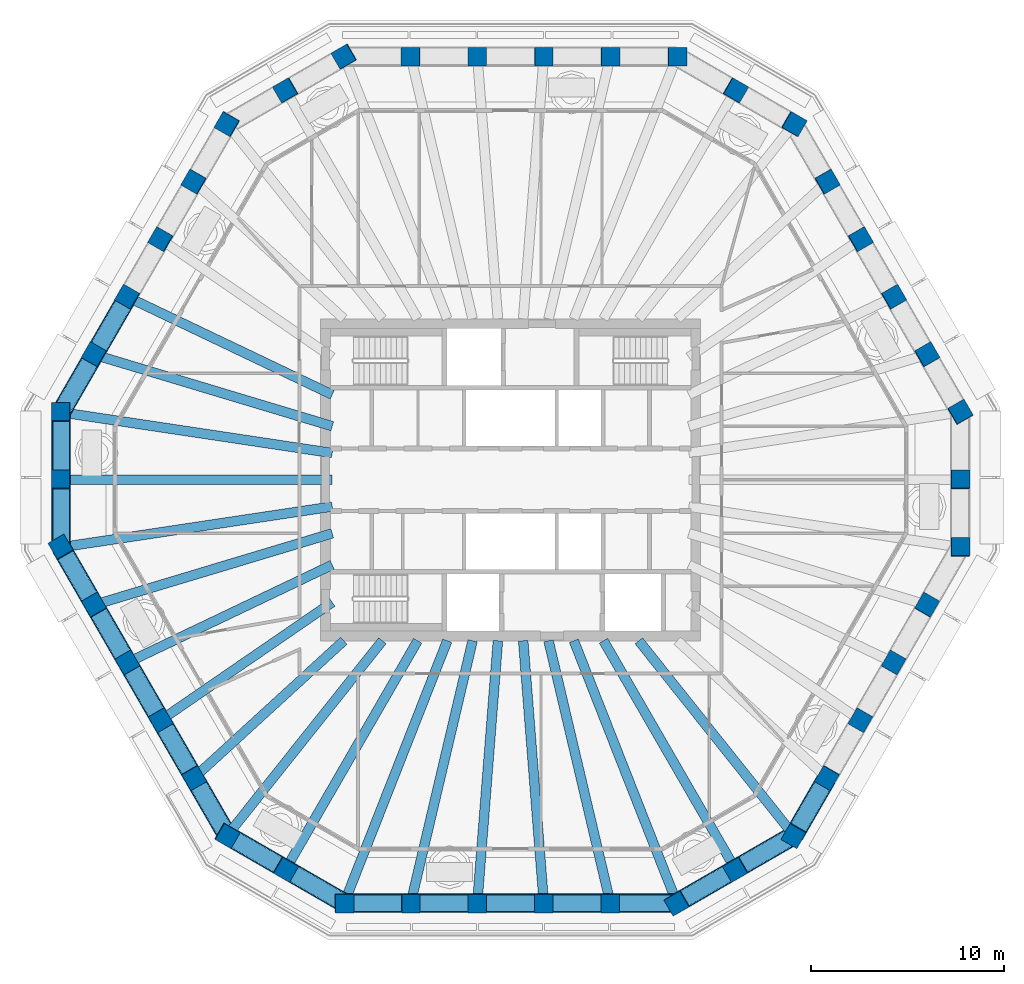
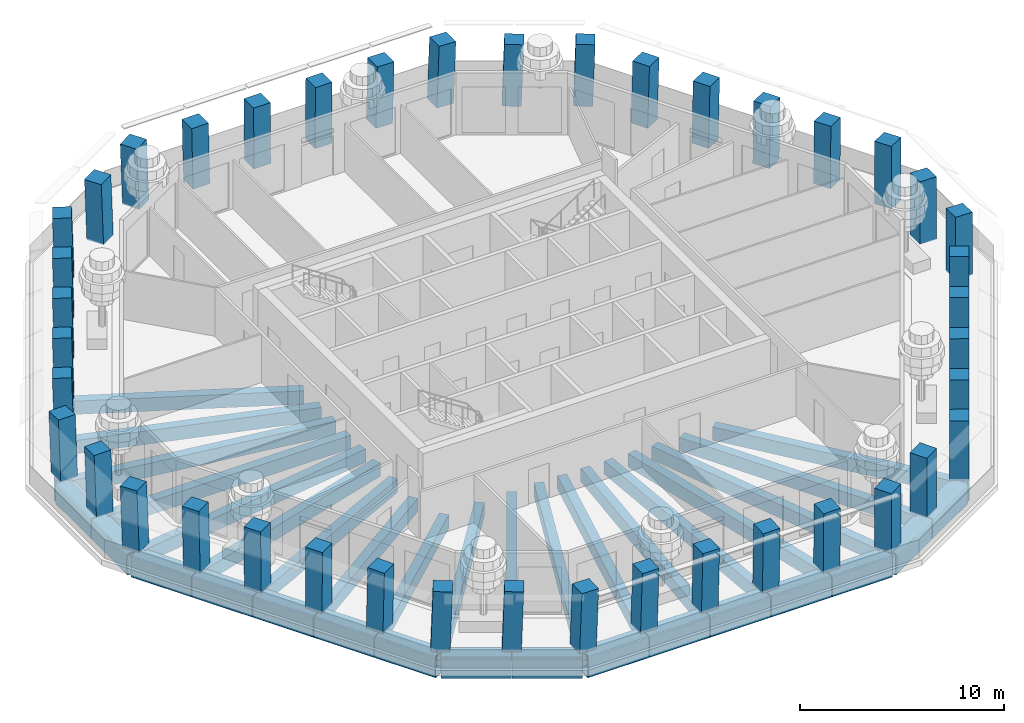
# One storey, part 1 of 13: 42 columns, 38 beams.
"""IFC4 building model written with IfcOpenShell, lengths in metres."""

from ifc_helpers import new_model, si_unit, direction, frame, origin, origin_2d, place, context, subcontext, project, spatial, rectangle, hollow_rectangle, extrude, material, material_profile, profile_set, type_object, element, save


model = new_model("IFC4")

# Units and contexts
model_context = context("Model", 3, precision=1e-05, world=origin(), true_north=direction((0.0, 1.0)))
body_context = subcontext(model_context, "Body", "Model", "MODEL_VIEW")
ifc_project = project(units=[si_unit("LENGTHUNIT", "METRE"), si_unit("AREAUNIT", "SQUARE_METRE"), si_unit("VOLUMEUNIT", "CUBIC_METRE"), si_unit("PLANEANGLEUNIT", "RADIAN"), si_unit("MASSUNIT", "GRAM", prefix="KILO")], contexts=[model_context])

# Site, building, storey
site_placement = place(None, origin())
site = spatial("IfcSite", under=ifc_project, at=site_placement, CompositionType="ELEMENT")
building_placement = place(site_placement, origin())
building = spatial("IfcBuilding", under=site, at=building_placement, Name="Frailejon Research Tower", CompositionType="ELEMENT")
storey_placement = place(building_placement, frame((0.0, 0.0, 263.0)))
storey = spatial("IfcBuildingStorey", under=building, at=storey_placement, Name="L57", CompositionType="ELEMENT", Elevation=263.0)

# Columns
ifc_material_1 = material(Name="Concrete C50/60", Category="concrete")
ifc_material_profile_1 = material_profile(ifc_material_1, rectangle(XDim=0.949951171875, YDim=0.949951171875, at=origin_2d()), Name="Column 950")
ifc_profile_set_1 = profile_set([ifc_material_profile_1], Name="Concrete C50/60")
column_type = type_object("IfcColumnType", Name="Column 950", PredefinedType="COLUMN", material=ifc_profile_set_1)
for number, where, z_axis, x_axis, name in (
    (1, (23.32373046875, -3.501953125, 0.0), (0.018115165867, 0.031417446337, 0.999342176049), (-0.001297375745, 0.999506085267, -0.031399081689), "Column C01"),
    (2, (23.32373046875, 0.0, 0.0), (0.018115165867, 0.031417446337, 0.999342176049), (-0.001297375745, 0.999506085267, -0.031399081689), "Column C02"),
    (3, (23.32373046875, 3.501953125, 0.0), (0.018115165867, 0.031417446337, 0.999342176049), (-0.501041092948, 0.865233799715, -0.018118913022), "Column C03"),
):
    element("IfcColumn", number, at=place(storey_placement, frame(where, z_axis=z_axis, x_axis=x_axis)), inside=storey, type_object=column_type, Name=name, PredefinedType="COLUMN", context=body_context, shape_type="SweptSolid", body=[
        extrude(rectangle(XDim=0.949951171875, YDim=0.949951171875, at=origin_2d()), origin(), (0.0, 0.0, 1.0), 3.65234375),
    ])
column_1_placement = place(storey_placement, frame((21.597900390625, 6.4912109375, 0.0), z_axis=(0.021793949015, 0.025136579231, 0.999446434868), x_axis=(-0.500091550798, 0.865904279016, -0.010872920625)))
element("IfcColumn", 4, at=column_1_placement, inside=storey, type_object=column_type, Name="Column C04", PredefinedType="COLUMN", context=body_context, shape_type="SweptSolid", body=[
    extrude(rectangle(XDim=0.949951171875, YDim=0.949951171875, at=origin_2d()), origin(), (0.0, 0.0, 1.0), 3.65185546875),
])
for number, where, z_axis, x_axis, name in (
    (5, (19.872314453125, 9.48046875, 0.0), (0.025338523594, 0.018853466104, 0.999501128583), (-0.501175757197, 0.865337954228, -0.003617370643), "Column C05"),
    (6, (18.146240234375, 12.469482421875, 0.0), (0.029015583354, 0.012568962375, 0.99949993352), (-0.500120886693, 0.865947994233, 0.003629046282), "Column C06"),
):
    element("IfcColumn", number, at=place(storey_placement, frame(where, z_axis=z_axis, x_axis=x_axis)), inside=storey, type_object=column_type, Name=name, PredefinedType="COLUMN", context=body_context, shape_type="SweptSolid", body=[
        extrude(rectangle(XDim=0.949951171875, YDim=0.949951171875, at=origin_2d()), origin(), (0.0, 0.0, 1.0), 3.651611328125),
    ])
column_2_placement = place(storey_placement, frame((16.42041015625, 15.458740234375, 0.0), z_axis=(0.032690901241, 0.006284140525, 0.999445753682), x_axis=(-0.49918988376, 0.866424307009, 0.010880265438)))
element("IfcColumn", 7, at=column_2_placement, inside=storey, type_object=column_type, Name="Column C07", PredefinedType="COLUMN", context=body_context, shape_type="SweptSolid", body=[
    extrude(rectangle(XDim=0.949951171875, YDim=0.949951171875, at=origin_2d()), origin(), (0.0, 0.0, 1.0), 3.65185546875),
])
for number, where, z_axis, x_axis, name in (
    (8, (14.694580078125, 18.447998046875, 0.0), (0.036297136169, 0.0, 0.99934104184), (-0.865312543657, 0.500246354177, 0.031429077673), "Column C08"),
    (9, (11.661865234375, 20.198974609375, 0.0), (0.036297136169, 0.0, 0.99934104184), (-0.865312543657, 0.500246354177, 0.031429077673), "Column C09"),
    (10, (8.629150390625, 21.949951171875, 0.0), (0.036297136169, 0.0, 0.99934104184), (-0.99934104184, 0.0, 0.036297136169), "Column C10"),
):
    element("IfcColumn", number, at=place(storey_placement, frame(where, z_axis=z_axis, x_axis=x_axis)), inside=storey, type_object=column_type, Name=name, PredefinedType="COLUMN", context=body_context, shape_type="SweptSolid", body=[
        extrude(rectangle(XDim=0.949951171875, YDim=0.949951171875, at=origin_2d()), origin(), (0.0, 0.0, 1.0), 3.65234375),
    ])
column_3_placement = place(storey_placement, frame((5.177490234375, 21.949951171875, 0.0), z_axis=(0.021800837506, 0.0, 0.999762333499), x_axis=(-0.999762333499, 0.0, 0.021800837506)))
element("IfcColumn", 11, at=column_3_placement, inside=storey, type_object=column_type, Name="Column C11", PredefinedType="COLUMN", context=body_context, shape_type="SweptSolid", body=[
    extrude(rectangle(XDim=0.949951171875, YDim=0.949951171875, at=origin_2d()), origin(), (0.0, 0.0, 1.0), 3.65087890625),
])
for number, where, z_axis, x_axis, name in (
    (12, (1.725830078125, 21.949951171875, 0.0), (0.00729077612, 0.0, 0.999973421939), (-0.999973421939, 0.0, 0.00729077612), "Column C12"),
    (13, (-1.725830078125, 21.949951171875, 0.0), (-0.00729077612, 0.0, 0.999973421939), (-0.999973421939, 0.0, -0.00729077612), "Column C13"),
):
    element("IfcColumn", number, at=place(storey_placement, frame(where, z_axis=z_axis, x_axis=x_axis)), inside=storey, type_object=column_type, Name=name, PredefinedType="COLUMN", context=body_context, shape_type="SweptSolid", body=[
        extrude(rectangle(XDim=0.949951171875, YDim=0.949951171875, at=origin_2d()), origin(), (0.0, 0.0, 1.0), 3.64990234375),
    ])
column_4_placement = place(storey_placement, frame((-5.177490234375, 21.949951171875, 0.0), z_axis=(-0.021800837506, 0.0, 0.999762333499), x_axis=(-0.999762333499, 0.0, -0.021800837506)))
element("IfcColumn", 14, at=column_4_placement, inside=storey, type_object=column_type, Name="Column C14", PredefinedType="COLUMN", context=body_context, shape_type="SweptSolid", body=[
    extrude(rectangle(XDim=0.949951171875, YDim=0.949951171875, at=origin_2d()), origin(), (0.0, 0.0, 1.0), 3.65087890625),
])
for number, where, z_axis, x_axis, name in (
    (15, (-8.629150390625, 21.949951171875, 0.0), (-0.036297136169, 0.0, 0.99934104184), (-0.865312543657, -0.500246354177, -0.031429077673), "Column C15"),
    (16, (-11.661865234375, 20.198974609375, 0.0), (-0.036297136169, 0.0, 0.99934104184), (-0.865312543657, -0.500246354177, -0.031429077673), "Column C16"),
    (17, (-14.694580078125, 18.447998046875, 0.0), (-0.036297136169, 0.0, 0.99934104184), (-0.49942428864, -0.866167613071, -0.018139624664), "Column C17"),
):
    element("IfcColumn", number, at=place(storey_placement, frame(where, z_axis=z_axis, x_axis=x_axis)), inside=storey, type_object=column_type, Name=name, PredefinedType="COLUMN", context=body_context, shape_type="SweptSolid", body=[
        extrude(rectangle(XDim=0.949951171875, YDim=0.949951171875, at=origin_2d()), origin(), (0.0, 0.0, 1.0), 3.65234375),
    ])
column_5_placement = place(storey_placement, frame((-16.42041015625, 15.458740234375, 0.0), z_axis=(-0.032690901241, 0.006284140525, 0.999445753682), x_axis=(-0.49918988376, -0.866424307009, -0.010880265438)))
element("IfcColumn", 18, at=column_5_placement, inside=storey, type_object=column_type, Name="Column C18", PredefinedType="COLUMN", context=body_context, shape_type="SweptSolid", body=[
    extrude(rectangle(XDim=0.949951171875, YDim=0.949951171875, at=origin_2d()), origin(), (0.0, 0.0, 1.0), 3.65185546875),
])
for number, where, z_axis, x_axis, name in (
    (19, (-18.146240234375, 12.469482421875, 0.0), (-0.029015583354, 0.012568962375, 0.99949993352), (-0.500120886693, -0.865947994233, -0.003629046282), "Column C19"),
    (20, (-19.872314453125, 9.48046875, 0.0), (-0.025338523594, 0.018853466104, 0.999501128583), (-0.501175757197, -0.865337954228, 0.003617370643), "Column C20"),
):
    element("IfcColumn", number, at=place(storey_placement, frame(where, z_axis=z_axis, x_axis=x_axis)), inside=storey, type_object=column_type, Name=name, PredefinedType="COLUMN", context=body_context, shape_type="SweptSolid", body=[
        extrude(rectangle(XDim=0.949951171875, YDim=0.949951171875, at=origin_2d()), origin(), (0.0, 0.0, 1.0), 3.651611328125),
    ])
column_6_placement = place(storey_placement, frame((-21.597900390625, 6.4912109375, 0.0), z_axis=(-0.021793949015, 0.025136579231, 0.999446434868), x_axis=(-0.500091550798, -0.865904279016, 0.010872920625)))
element("IfcColumn", 21, at=column_6_placement, inside=storey, type_object=column_type, Name="Column C21", PredefinedType="COLUMN", context=body_context, shape_type="SweptSolid", body=[
    extrude(rectangle(XDim=0.949951171875, YDim=0.949951171875, at=origin_2d()), origin(), (0.0, 0.0, 1.0), 3.65185546875),
])
for number, where, z_axis, x_axis, name in (
    (22, (-23.32373046875, 3.501953125, 0.0), (-0.018115165867, 0.031417446337, 0.999342176049), (-0.001297375745, -0.999506085267, 0.031399081689), "Column C22"),
    (23, (-23.32373046875, 0.0, 0.0), (-0.018115165867, 0.031417446337, 0.999342176049), (-0.001297375745, -0.999506085267, 0.031399081689), "Column C23"),
    (24, (-23.32373046875, -3.501953125, 0.0), (-0.018115165867, 0.031417446337, 0.999342176049), (0.499040470376, -0.865819492615, 0.036265894916), "Column C24"),
):
    element("IfcColumn", number, at=place(storey_placement, frame(where, z_axis=z_axis, x_axis=x_axis)), inside=storey, type_object=column_type, Name=name, PredefinedType="COLUMN", context=body_context, shape_type="SweptSolid", body=[
        extrude(rectangle(XDim=0.949951171875, YDim=0.949951171875, at=origin_2d()), origin(), (0.0, 0.0, 1.0), 3.65234375),
    ])
column_7_placement = place(storey_placement, frame((-21.597900390625, -6.4912109375, 0.0), z_axis=(-0.010900423214, 0.018858400897, 0.999762742599), x_axis=(0.500590318805, -0.865410234662, 0.021782067434)))
element("IfcColumn", 25, at=column_7_placement, inside=storey, type_object=column_type, Name="Column C25", PredefinedType="COLUMN", context=body_context, shape_type="SweptSolid", body=[
    extrude(rectangle(XDim=0.949951171875, YDim=0.949951171875, at=origin_2d()), origin(), (0.0, 0.0, 1.0), 3.65087890625),
])
for number, where, z_axis, x_axis, name in (
    (26, (-19.872314453125, -9.48046875, 0.0), (-0.003611945175, 0.00628746012, 0.999973710503), (0.497890394796, -0.867209649664, 0.007251089524), "Column C26"),
    (27, (-18.146240234375, -12.469482421875, 0.0), (0.003611945175, -0.00628746012, 0.999973710503), (0.497890394796, -0.867209649664, -0.007251089524), "Column C27"),
):
    element("IfcColumn", number, at=place(storey_placement, frame(where, z_axis=z_axis, x_axis=x_axis)), inside=storey, type_object=column_type, Name=name, PredefinedType="COLUMN", context=body_context, shape_type="SweptSolid", body=[
        extrude(rectangle(XDim=0.949951171875, YDim=0.949951171875, at=origin_2d()), origin(), (0.0, 0.0, 1.0), 3.64990234375),
    ])
column_8_placement = place(storey_placement, frame((-16.42041015625, -15.458740234375, 0.0), z_axis=(0.010833557325, -0.018858414602, 0.999763469144), x_axis=(0.498285075857, -0.866740432575, -0.0217486946)))
element("IfcColumn", 28, at=column_8_placement, inside=storey, type_object=column_type, Name="Column C28", PredefinedType="COLUMN", context=body_context, shape_type="SweptSolid", body=[
    extrude(rectangle(XDim=0.949951171875, YDim=0.949951171875, at=origin_2d()), origin(), (0.0, 0.0, 1.0), 3.65087890625),
])
for number, where, z_axis, x_axis, name in (
    (29, (-14.694580078125, -18.447998046875, 0.0), (0.018115165867, -0.031417446337, 0.999342176049), (0.865519692755, -0.499889378995, -0.031404939456), "Column C29"),
    (30, (-11.661865234375, -20.198974609375, 0.0), (0.018115165867, -0.031417446337, 0.999342176049), (0.865519692755, -0.499889378995, -0.031404939456), "Column C30"),
    (31, (-8.629150390625, -21.949951171875, 0.0), (0.018115165867, -0.031417446337, 0.999342176049), (0.999835642796, -0.000157281862, -0.01812905563), "Column C31"),
):
    element("IfcColumn", number, at=place(storey_placement, frame(where, z_axis=z_axis, x_axis=x_axis)), inside=storey, type_object=column_type, Name=name, PredefinedType="COLUMN", context=body_context, shape_type="SweptSolid", body=[
        extrude(rectangle(XDim=0.949951171875, YDim=0.949951171875, at=origin_2d()), origin(), (0.0, 0.0, 1.0), 3.65234375),
    ])
column_9_placement = place(storey_placement, frame((-5.177490234375, -21.949951171875, 0.0), z_axis=(0.010896978963, -0.031420736888, 0.99944684358), x_axis=(0.999940625187, 0.000298260455, -0.010892985919)))
element("IfcColumn", 32, at=column_9_placement, inside=storey, type_object=column_type, Name="Column C32", PredefinedType="COLUMN", context=body_context, shape_type="SweptSolid", body=[
    extrude(rectangle(XDim=0.949951171875, YDim=0.949951171875, at=origin_2d()), origin(), (0.0, 0.0, 1.0), 3.65185546875),
])
for number, where, z_axis, x_axis, name in (
    (33, (-1.725830078125, -21.949951171875, 0.0), (0.003610232938, -0.031422397791, 0.999499674405), (0.999993379572, -0.000341341874, -0.00362274737), "Column C33"),
    (34, (1.725830078125, -21.949951171875, 0.0), (-0.003610232938, -0.031422397791, 0.999499674405), (0.999993379572, 0.000341341874, 0.00362274737), "Column C34"),
):
    element("IfcColumn", number, at=place(storey_placement, frame(where, z_axis=z_axis, x_axis=x_axis)), inside=storey, type_object=column_type, Name=name, PredefinedType="COLUMN", context=body_context, shape_type="SweptSolid", body=[
        extrude(rectangle(XDim=0.949951171875, YDim=0.949951171875, at=origin_2d()), origin(), (0.0, 0.0, 1.0), 3.651611328125),
    ])
column_10_placement = place(storey_placement, frame((5.177490234375, -21.949951171875, 0.0), z_axis=(-0.010896978963, -0.031420736888, 0.99944684358), x_axis=(0.999940625187, -0.000298260455, 0.010892985919)))
element("IfcColumn", 35, at=column_10_placement, inside=storey, type_object=column_type, Name="Column C35", PredefinedType="COLUMN", context=body_context, shape_type="SweptSolid", body=[
    extrude(rectangle(XDim=0.949951171875, YDim=0.949951171875, at=origin_2d()), origin(), (0.0, 0.0, 1.0), 3.65185546875),
])
for number, where, z_axis, x_axis, name in (
    (36, (8.629150390625, -21.949951171875, 0.0), (-0.018115165867, -0.031417446337, 0.999342176049), (0.865519692755, 0.499889378995, 0.031404939456), "Column C36"),
    (37, (11.661865234375, -20.198974609375, 0.0), (-0.018115165867, -0.031417446337, 0.999342176049), (0.865519692755, 0.499889378995, 0.031404939456), "Column C37"),
    (38, (14.694580078125, -18.447998046875, 0.0), (-0.018115165867, -0.031417446337, 0.999342176049), (0.499040470376, 0.865819492615, 0.036265894916), "Column C38"),
):
    element("IfcColumn", number, at=place(storey_placement, frame(where, z_axis=z_axis, x_axis=x_axis)), inside=storey, type_object=column_type, Name=name, PredefinedType="COLUMN", context=body_context, shape_type="SweptSolid", body=[
        extrude(rectangle(XDim=0.949951171875, YDim=0.949951171875, at=origin_2d()), origin(), (0.0, 0.0, 1.0), 3.65234375),
    ])
column_11_placement = place(storey_placement, frame((16.42041015625, -15.458740234375, 0.0), z_axis=(-0.010833557325, -0.018858414602, 0.999763469144), x_axis=(0.498285075857, 0.866740432575, 0.0217486946)))
element("IfcColumn", 39, at=column_11_placement, inside=storey, type_object=column_type, Name="Column C39", PredefinedType="COLUMN", context=body_context, shape_type="SweptSolid", body=[
    extrude(rectangle(XDim=0.949951171875, YDim=0.949951171875, at=origin_2d()), origin(), (0.0, 0.0, 1.0), 3.65087890625),
])
for number, where, z_axis, x_axis, name in (
    (40, (18.146240234375, -12.469482421875, 0.0), (-0.003611945175, -0.00628746012, 0.999973710503), (0.497890394796, 0.867209649664, 0.007251089524), "Column C40"),
    (41, (19.872314453125, -9.48046875, 0.0), (0.003611945175, 0.00628746012, 0.999973710503), (0.497890394796, 0.867209649664, -0.007251089524), "Column C41"),
):
    element("IfcColumn", number, at=place(storey_placement, frame(where, z_axis=z_axis, x_axis=x_axis)), inside=storey, type_object=column_type, Name=name, PredefinedType="COLUMN", context=body_context, shape_type="SweptSolid", body=[
        extrude(rectangle(XDim=0.949951171875, YDim=0.949951171875, at=origin_2d()), origin(), (0.0, 0.0, 1.0), 3.64990234375),
    ])
column_12_placement = place(storey_placement, frame((21.597900390625, -6.4912109375, 0.0), z_axis=(0.010900423214, 0.018858400897, 0.999762742599), x_axis=(0.500590318805, 0.865410234662, -0.021782067434)))
element("IfcColumn", 42, at=column_12_placement, inside=storey, type_object=column_type, Name="Column C42", PredefinedType="COLUMN", context=body_context, shape_type="SweptSolid", body=[
    extrude(rectangle(XDim=0.949951171875, YDim=0.949951171875, at=origin_2d()), origin(), (0.0, 0.0, 1.0), 3.65087890625),
])

# Beams
ifc_material_2 = material(Name="Steel S355", Category="steel")
ifc_material_profile_2 = material_profile(ifc_material_2, hollow_rectangle(XDim=1.0, YDim=1.300048828125, WallThickness=0.06005859375, InnerFilletRadius=0.06005859375, OuterFilletRadius=0.1201171875, at=origin_2d()), Name="Belt chord")
ifc_profile_set_2 = profile_set([ifc_material_profile_2], Name="Steel S355")
beam_type_1 = type_object("IfcBeamType", Name="Belt chord", PredefinedType="BEAM", material=ifc_profile_set_2)
for number, where, z_axis, x_axis, name in (
    (43, (-19.882080078125, 9.463134765625, -1.0), (-0.499995010897, -0.866028284225, 0.0), (0.866028284225, -0.499995010897, 0.0), "Belt chord"),
    (44, (-21.60791015625, 6.473876953125, -1.0), (-0.499995010897, -0.866028284225, 0.0), (0.866028284225, -0.499995010897, 0.0), "Belt chord"),
):
    element("IfcBeam", number, at=place(storey_placement, frame(where, z_axis=z_axis, x_axis=x_axis)), inside=storey, type_object=beam_type_1, Name=name, PredefinedType="BEAM", context=body_context, shape_type="SweptSolid", body=[
        extrude(hollow_rectangle(XDim=1.0, YDim=1.300048828125, WallThickness=0.06005859375, InnerFilletRadius=0.06005859375, OuterFilletRadius=0.1201171875, at=origin_2d()), origin(), (0.0, 0.0, 1.0), 3.41162109375),
    ])
for number, where, z_axis, x_axis, name in (
    (45, (-23.32373046875, 3.48193359375, -1.0), (0.0, -1.0, 0.0), (1.0, 0.0, 0.0), "Belt chord"),
    (46, (-23.32373046875, -0.02001953125, -1.0), (0.0, -1.0, 0.0), (1.0, 0.0, 0.0), "Belt chord"),
):
    element("IfcBeam", number, at=place(storey_placement, frame(where, z_axis=z_axis, x_axis=x_axis)), inside=storey, type_object=beam_type_1, Name=name, PredefinedType="BEAM", context=body_context, shape_type="SweptSolid", body=[
        extrude(hollow_rectangle(XDim=1.0, YDim=1.300048828125, WallThickness=0.06005859375, InnerFilletRadius=0.06005859375, OuterFilletRadius=0.1201171875, at=origin_2d()), origin(), (0.0, 0.0, 1.0), 3.4619140625),
    ])
for number, where, z_axis, x_axis, name in (
    (47, (-23.313720703125, -3.519287109375, -1.0), (0.499995010897, -0.866028284225, 0.0), (0.866028284225, 0.499995010897, 0.0), "Belt chord"),
    (48, (-21.587890625, -6.508544921875, -1.0), (0.499995010897, -0.866028284225, 0.0), (0.866028284225, 0.499995010897, 0.0), "Belt chord"),
):
    element("IfcBeam", number, at=place(storey_placement, frame(where, z_axis=z_axis, x_axis=x_axis)), inside=storey, type_object=beam_type_1, Name=name, PredefinedType="BEAM", context=body_context, shape_type="SweptSolid", body=[
        extrude(hollow_rectangle(XDim=1.0, YDim=1.300048828125, WallThickness=0.06005859375, InnerFilletRadius=0.06005859375, OuterFilletRadius=0.1201171875, at=origin_2d()), origin(), (0.0, 0.0, 1.0), 3.41162109375),
    ])
beam_1_placement = place(storey_placement, frame((-19.8623046875, -9.497802734375, -1.0), z_axis=(0.500048678942, -0.86599729716, 0.0), x_axis=(0.86599729716, 0.500048678942, 0.0)))
element("IfcBeam", 49, at=beam_1_placement, inside=storey, type_object=beam_type_1, Name="Belt chord", PredefinedType="BEAM", context=body_context, shape_type="SweptSolid", body=[
    extrude(hollow_rectangle(XDim=1.0, YDim=1.300048828125, WallThickness=0.06005859375, InnerFilletRadius=0.06005859375, OuterFilletRadius=0.1201171875, at=origin_2d()), origin(), (0.0, 0.0, 1.0), 3.411865234375),
])
for number, where, z_axis, x_axis, name in (
    (50, (-18.13623046875, -12.48681640625, -1.0), (0.499995010897, -0.866028284225, 0.0), (0.866028284225, 0.499995010897, 0.0), "Belt chord"),
    (51, (-16.410400390625, -15.47607421875, -1.0), (0.499995010897, -0.866028284225, 0.0), (0.866028284225, 0.499995010897, 0.0), "Belt chord"),
):
    element("IfcBeam", number, at=place(storey_placement, frame(where, z_axis=z_axis, x_axis=x_axis)), inside=storey, type_object=beam_type_1, Name=name, PredefinedType="BEAM", context=body_context, shape_type="SweptSolid", body=[
        extrude(hollow_rectangle(XDim=1.0, YDim=1.300048828125, WallThickness=0.06005859375, InnerFilletRadius=0.06005859375, OuterFilletRadius=0.1201171875, at=origin_2d()), origin(), (0.0, 0.0, 1.0), 3.41162109375),
    ])
beam_2_placement = place(storey_placement, frame((-14.677490234375, -18.4580078125, -1.0), z_axis=(0.866038798027, -0.499976799773, 0.0), x_axis=(0.499976799773, 0.866038798027, 0.0)))
element("IfcBeam", 52, at=beam_2_placement, inside=storey, type_object=beam_type_1, Name="Belt chord", PredefinedType="BEAM", context=body_context, shape_type="SweptSolid", body=[
    extrude(hollow_rectangle(XDim=1.0, YDim=1.300048828125, WallThickness=0.06005859375, InnerFilletRadius=0.06005859375, OuterFilletRadius=0.1201171875, at=origin_2d()), origin(), (0.0, 0.0, 1.0), 3.462158203125),
])
beam_3_placement = place(storey_placement, frame((-11.64453125, -20.208984375, -1.0), z_axis=(0.866021168401, -0.500007335828, 0.0), x_axis=(0.500007335828, 0.866021168401, 0.0)))
element("IfcBeam", 53, at=beam_3_placement, inside=storey, type_object=beam_type_1, Name="Belt chord", PredefinedType="BEAM", context=body_context, shape_type="SweptSolid", body=[
    extrude(hollow_rectangle(XDim=1.0, YDim=1.300048828125, WallThickness=0.06005859375, InnerFilletRadius=0.06005859375, OuterFilletRadius=0.1201171875, at=origin_2d()), origin(), (0.0, 0.0, 1.0), 3.4619140625),
])
for number, where, z_axis, x_axis, name in (
    (54, (-8.609130859375, -21.949951171875, -1.0), (1.0, 0.0, 0.0), (0.0, 1.0, 0.0), "Belt chord"),
    (55, (-5.157470703125, -21.949951171875, -1.0), (1.0, 0.0, 0.0), (0.0, 1.0, 0.0), "Belt chord"),
    (56, (-1.705810546875, -21.949951171875, -1.0), (1.0, 0.0, 0.0), (0.0, 1.0, 0.0), "Belt chord"),
    (57, (1.745849609375, -21.949951171875, -1.0), (1.0, 0.0, 0.0), (0.0, 1.0, 0.0), "Belt chord"),
    (58, (5.197509765625, -21.949951171875, -1.0), (1.0, 0.0, 0.0), (0.0, 1.0, 0.0), "Belt chord"),
):
    element("IfcBeam", number, at=place(storey_placement, frame(where, z_axis=z_axis, x_axis=x_axis)), inside=storey, type_object=beam_type_1, Name=name, PredefinedType="BEAM", context=body_context, shape_type="SweptSolid", body=[
        extrude(hollow_rectangle(XDim=1.0, YDim=1.300048828125, WallThickness=0.06005859375, InnerFilletRadius=0.06005859375, OuterFilletRadius=0.1201171875, at=origin_2d()), origin(), (0.0, 0.0, 1.0), 3.41162109375),
    ])
beam_4_placement = place(storey_placement, frame((8.646484375, -21.93994140625, -1.0), z_axis=(0.866021168401, 0.500007335828, 0.0), x_axis=(-0.500007335828, 0.866021168401, 0.0)))
element("IfcBeam", 59, at=beam_4_placement, inside=storey, type_object=beam_type_1, Name="Belt chord", PredefinedType="BEAM", context=body_context, shape_type="SweptSolid", body=[
    extrude(hollow_rectangle(XDim=1.0, YDim=1.300048828125, WallThickness=0.06005859375, InnerFilletRadius=0.06005859375, OuterFilletRadius=0.1201171875, at=origin_2d()), origin(), (0.0, 0.0, 1.0), 3.4619140625),
])
beam_5_placement = place(storey_placement, frame((11.67919921875, -20.18896484375, -1.0), z_axis=(0.866038798027, 0.499976799773, 0.0), x_axis=(-0.499976799773, 0.866038798027, 0.0)))
element("IfcBeam", 60, at=beam_5_placement, inside=storey, type_object=beam_type_1, Name="Belt chord", PredefinedType="BEAM", context=body_context, shape_type="SweptSolid", body=[
    extrude(hollow_rectangle(XDim=1.0, YDim=1.300048828125, WallThickness=0.06005859375, InnerFilletRadius=0.06005859375, OuterFilletRadius=0.1201171875, at=origin_2d()), origin(), (0.0, 0.0, 1.0), 3.462158203125),
])
beam_6_placement = place(storey_placement, frame((14.70458984375, -18.4306640625, -1.0), z_axis=(0.499995010897, 0.866028284225, 0.0), x_axis=(-0.866028284225, 0.499995010897, 0.0)))
element("IfcBeam", 61, at=beam_6_placement, inside=storey, type_object=beam_type_1, Name="Belt chord", PredefinedType="BEAM", context=body_context, shape_type="SweptSolid", body=[
    extrude(hollow_rectangle(XDim=1.0, YDim=1.300048828125, WallThickness=0.06005859375, InnerFilletRadius=0.06005859375, OuterFilletRadius=0.1201171875, at=origin_2d()), origin(), (0.0, 0.0, 1.0), 3.41162109375),
])
ifc_material_3 = material(Name="Concrete C60/75", Category="concrete")
ifc_material_profile_3 = material_profile(ifc_material_3, rectangle(XDim=0.5, YDim=0.800048828125, at=origin_2d()), Name="Girder 500x800")
ifc_profile_set_3 = profile_set([ifc_material_profile_3], Name="Concrete C60/75")
beam_type_2 = type_object("IfcBeamType", Name="Girder 500x800", PredefinedType="BEAM", material=ifc_profile_set_3)
beam_7_placement = place(storey_placement, frame((-19.577392578125, 9.33984375, -0.699951171875), z_axis=(0.90254832105, -0.430588583417, 0.0), x_axis=(0.430588583417, 0.90254832105, 0.0)))
element("IfcBeam", 62, at=beam_7_placement, inside=storey, type_object=beam_type_2, Name="Girder 500x800", PredefinedType="BEAM", context=body_context, shape_type="SweptSolid", body=[
    extrude(rectangle(XDim=0.5, YDim=0.800048828125, at=origin_2d()), origin(), (0.0, 0.0, 1.0), 11.4423828125),
])
beam_8_placement = place(storey_placement, frame((-21.2744140625, 6.393798828125, -0.699951171875), z_axis=(0.957684883989, -0.287818802339, 0.0), x_axis=(0.287818802339, 0.957684883989, 0.0)))
element("IfcBeam", 63, at=beam_8_placement, inside=storey, type_object=beam_type_2, Name="Girder 500x800", PredefinedType="BEAM", context=body_context, shape_type="SweptSolid", body=[
    extrude(rectangle(XDim=0.5, YDim=0.800048828125, at=origin_2d()), origin(), (0.0, 0.0, 1.0), 12.5556640625),
])
beam_9_placement = place(storey_placement, frame((-22.9970703125, 3.452880859375, -0.699951171875), z_axis=(0.988916247685, -0.148474425622, 0.0), x_axis=(0.148474425622, 0.988916247685, 0.0)))
element("IfcBeam", 64, at=beam_9_placement, inside=storey, type_object=beam_type_2, Name="Girder 500x800", PredefinedType="BEAM", context=body_context, shape_type="SweptSolid", body=[
    extrude(rectangle(XDim=0.5, YDim=0.800048828125, at=origin_2d()), origin(), (0.0, 0.0, 1.0), 13.901123046875),
])
beam_10_placement = place(storey_placement, frame((-22.998779296875, 0.0, -0.699951171875), z_axis=(1.0, 0.0, 0.0), x_axis=(0.0, 1.0, 0.0)))
element("IfcBeam", 65, at=beam_10_placement, inside=storey, type_object=beam_type_2, Name="Girder 500x800", PredefinedType="BEAM", context=body_context, shape_type="SweptSolid", body=[
    extrude(rectangle(XDim=0.5, YDim=0.800048828125, at=origin_2d()), origin(), (0.0, 0.0, 1.0), 13.748779296875),
])
beam_11_placement = place(storey_placement, frame((-22.96728515625, -3.448486328125, -0.699951171875), z_axis=(0.988915428707, 0.148479880336, 0.0), x_axis=(-0.148479880336, 0.988915428707, 0.0)))
element("IfcBeam", 66, at=beam_11_placement, inside=storey, type_object=beam_type_2, Name="Girder 500x800", PredefinedType="BEAM", context=body_context, shape_type="SweptSolid", body=[
    extrude(rectangle(XDim=0.5, YDim=0.800048828125, at=origin_2d()), origin(), (0.0, 0.0, 1.0), 13.87109375),
])
beam_12_placement = place(storey_placement, frame((-21.2744140625, -6.393798828125, -0.699951171875), z_axis=(0.957684883989, 0.287818802339, 0.0), x_axis=(-0.287818802339, 0.957684883989, 0.0)))
element("IfcBeam", 67, at=beam_12_placement, inside=storey, type_object=beam_type_2, Name="Girder 500x800", PredefinedType="BEAM", context=body_context, shape_type="SweptSolid", body=[
    extrude(rectangle(XDim=0.5, YDim=0.800048828125, at=origin_2d()), origin(), (0.0, 0.0, 1.0), 12.5556640625),
])
beam_13_placement = place(storey_placement, frame((-19.577392578125, -9.33984375, -0.699951171875), z_axis=(0.90254832105, 0.430588583417, 0.0), x_axis=(-0.430588583417, 0.90254832105, 0.0)))
element("IfcBeam", 68, at=beam_13_placement, inside=storey, type_object=beam_type_2, Name="Girder 500x800", PredefinedType="BEAM", context=body_context, shape_type="SweptSolid", body=[
    extrude(rectangle(XDim=0.5, YDim=0.800048828125, at=origin_2d()), origin(), (0.0, 0.0, 1.0), 11.4423828125),
])
beam_14_placement = place(storey_placement, frame((-17.877197265625, -12.28466796875, -0.699951171875), z_axis=(0.82416371662, 0.566351629473, 0.0), x_axis=(-0.566351629473, 0.82416371662, 0.0)))
element("IfcBeam", 69, at=beam_14_placement, inside=storey, type_object=beam_type_2, Name="Girder 500x800", PredefinedType="BEAM", context=body_context, shape_type="SweptSolid", body=[
    extrude(rectangle(XDim=0.5, YDim=0.800048828125, at=origin_2d()), origin(), (0.0, 0.0, 1.0), 10.4677734375),
])
beam_15_placement = place(storey_placement, frame((-16.17236328125, -15.231689453125, -0.699951171875), z_axis=(0.737837636793, 0.674978237969, 0.0), x_axis=(-0.674978237969, 0.737837636793, 0.0)))
element("IfcBeam", 70, at=beam_15_placement, inside=storey, type_object=beam_type_2, Name="Girder 500x800", PredefinedType="BEAM", context=body_context, shape_type="SweptSolid", body=[
    extrude(rectangle(XDim=0.5, YDim=0.800048828125, at=origin_2d()), origin(), (0.0, 0.0, 1.0), 10.1953125),
])
beam_16_placement = place(storey_placement, frame((-14.489013671875, -18.189697265625, -0.699951171875), z_axis=(0.623055876427, 0.782177329542, 0.0), x_axis=(-0.782177329542, 0.623055876427, 0.0)))
element("IfcBeam", 71, at=beam_16_placement, inside=storey, type_object=beam_type_2, Name="Girder 500x800", PredefinedType="BEAM", context=body_context, shape_type="SweptSolid", body=[
    extrude(rectangle(XDim=0.5, YDim=0.800048828125, at=origin_2d()), origin(), (0.0, 0.0, 1.0), 12.579833984375),
])
beam_17_placement = place(storey_placement, frame((-11.49951171875, -19.91748046875, -0.699951171875), z_axis=(0.500015685897, 0.866016347338, 0.0), x_axis=(-0.866016347338, 0.500015685897, 0.0)))
element("IfcBeam", 72, at=beam_17_placement, inside=storey, type_object=beam_type_2, Name="Girder 500x800", PredefinedType="BEAM", context=body_context, shape_type="SweptSolid", body=[
    extrude(rectangle(XDim=0.5, YDim=0.800048828125, at=origin_2d()), origin(), (0.0, 0.0, 1.0), 13.35693359375),
])
beam_18_placement = place(storey_placement, frame((-8.497314453125, -21.614501953125, -0.699951171875), z_axis=(0.36587018222, 0.930665895884, 0.0), x_axis=(-0.930665895884, 0.36587018222, 0.0)))
element("IfcBeam", 73, at=beam_18_placement, inside=storey, type_object=beam_type_2, Name="Girder 500x800", PredefinedType="BEAM", context=body_context, shape_type="SweptSolid", body=[
    extrude(rectangle(XDim=0.5, YDim=0.800048828125, at=origin_2d()), origin(), (0.0, 0.0, 1.0), 14.252685546875),
])
beam_19_placement = place(storey_placement, frame((-5.099853515625, -21.62109375, -0.699951171875), z_axis=(0.229580210899, 0.973289744507, 0.0), x_axis=(-0.973289744507, 0.229580210899, 0.0)))
element("IfcBeam", 74, at=beam_19_placement, inside=storey, type_object=beam_type_2, Name="Girder 500x800", PredefinedType="BEAM", context=body_context, shape_type="SweptSolid", body=[
    extrude(rectangle(XDim=0.5, YDim=0.800048828125, at=origin_2d()), origin(), (0.0, 0.0, 1.0), 13.63525390625),
])
for number, where, z_axis, x_axis, name in (
    (75, (-1.7001953125, -21.62451171875, -0.699951171875), (0.078383122753, 0.996923310023, 0.0), (-0.996923310023, 0.078383122753, 0.0), "Girder 500x800"),
    (76, (1.7001953125, -21.62451171875, -0.699951171875), (-0.078383122753, 0.996923310023, 0.0), (-0.996923310023, -0.078383122753, 0.0), "Girder 500x800"),
):
    element("IfcBeam", number, at=place(storey_placement, frame(where, z_axis=z_axis, x_axis=x_axis)), inside=storey, type_object=beam_type_2, Name=name, PredefinedType="BEAM", context=body_context, shape_type="SweptSolid", body=[
        extrude(rectangle(XDim=0.5, YDim=0.800048828125, at=origin_2d()), origin(), (0.0, 0.0, 1.0), 13.3154296875),
    ])
beam_20_placement = place(storey_placement, frame((5.099853515625, -21.62109375, -0.699951171875), z_axis=(-0.229580210899, 0.973289744507, 0.0), x_axis=(-0.973289744507, -0.229580210899, 0.0)))
element("IfcBeam", 77, at=beam_20_placement, inside=storey, type_object=beam_type_2, Name="Girder 500x800", PredefinedType="BEAM", context=body_context, shape_type="SweptSolid", body=[
    extrude(rectangle(XDim=0.5, YDim=0.800048828125, at=origin_2d()), origin(), (0.0, 0.0, 1.0), 13.63525390625),
])
beam_21_placement = place(storey_placement, frame((8.50830078125, -21.642578125, -0.699951171875), z_axis=(-0.36586707843, 0.930667116063, 0.0), x_axis=(-0.930667116063, -0.36586707843, 0.0)))
element("IfcBeam", 78, at=beam_21_placement, inside=storey, type_object=beam_type_2, Name="Girder 500x800", PredefinedType="BEAM", context=body_context, shape_type="SweptSolid", body=[
    extrude(rectangle(XDim=0.5, YDim=0.800048828125, at=origin_2d()), origin(), (0.0, 0.0, 1.0), 14.28271484375),
])
beam_22_placement = place(storey_placement, frame((11.49951171875, -19.91748046875, -0.699951171875), z_axis=(-0.500015685897, 0.866016347338, 0.0), x_axis=(-0.866016347338, -0.500015685897, 0.0)))
element("IfcBeam", 79, at=beam_22_placement, inside=storey, type_object=beam_type_2, Name="Girder 500x800", PredefinedType="BEAM", context=body_context, shape_type="SweptSolid", body=[
    extrude(rectangle(XDim=0.5, YDim=0.800048828125, at=origin_2d()), origin(), (0.0, 0.0, 1.0), 13.35693359375),
])
beam_23_placement = place(storey_placement, frame((14.47021484375, -18.166015625, -0.699951171875), z_axis=(-0.623059053129, 0.782174799079, 0.0), x_axis=(-0.782174799079, -0.623059053129, 0.0)))
element("IfcBeam", 80, at=beam_23_placement, inside=storey, type_object=beam_type_2, Name="Girder 500x800", PredefinedType="BEAM", context=body_context, shape_type="SweptSolid", body=[
    extrude(rectangle(XDim=0.5, YDim=0.800048828125, at=origin_2d()), origin(), (0.0, 0.0, 1.0), 12.549560546875),
])

save(model, "model.ifc")
